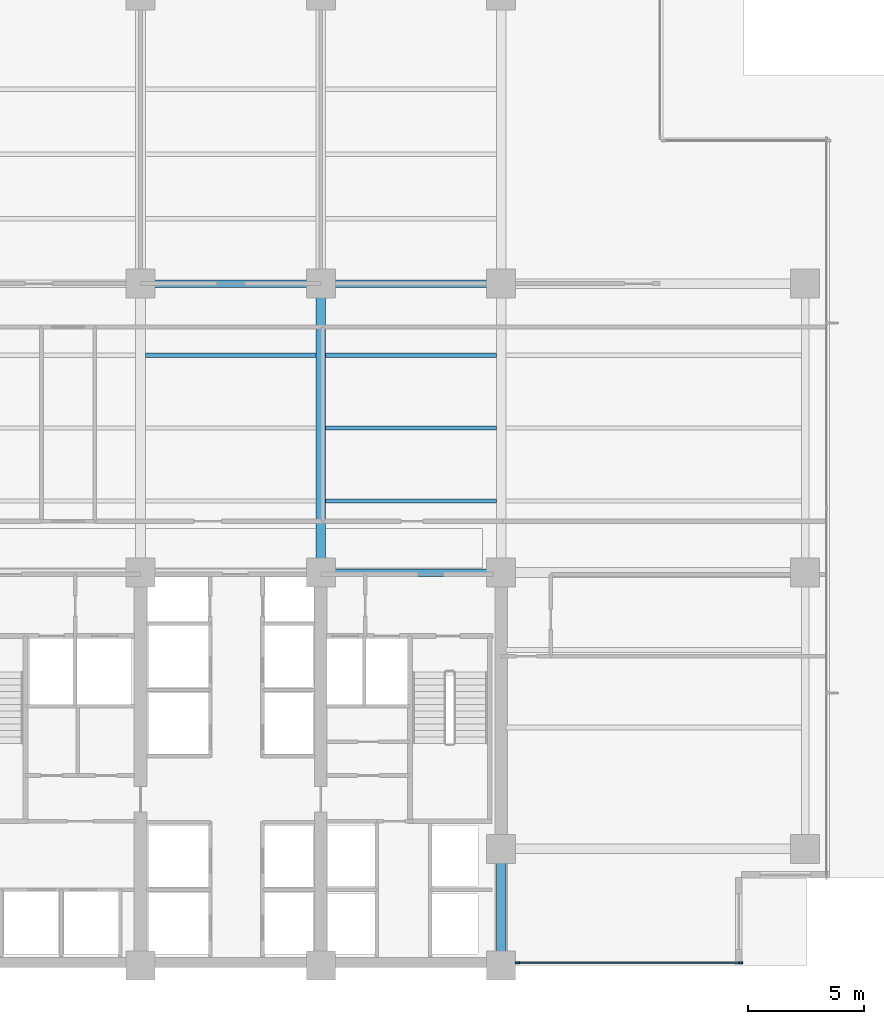
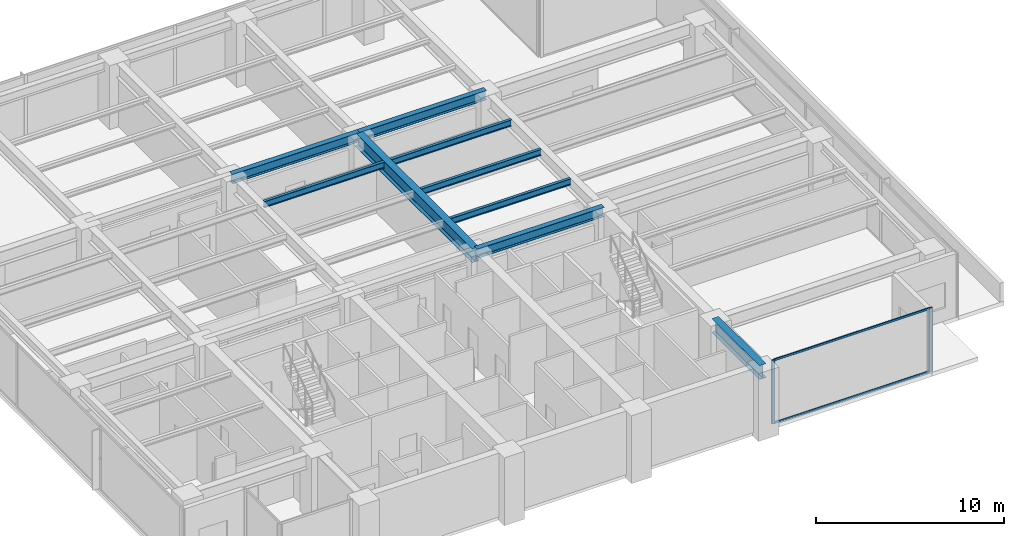
# One storey, part 3 of 16: 9 beams, 4 members, 1 element without a shape of its own.
"""IFC4 building model written with IfcOpenShell, lengths in metres."""

from ifc_helpers import new_model, si_unit, direction, frame, origin, origin_2d, place, context, subcontext, project, spatial, rectangle, i_section, extrude, material, layer, layer_set, material_profile, profile_set, type_object, element, aggregate, save


model = new_model("IFC4")

# Units and contexts
model_context = context("Model", 3, precision=1e-05, world=origin(), true_north=direction((0.0, 1.0)))
body_context = subcontext(model_context, "Body", "Model", "MODEL_VIEW")
ifc_project = project(units=[si_unit("LENGTHUNIT", "METRE"), si_unit("AREAUNIT", "SQUARE_METRE"), si_unit("VOLUMEUNIT", "CUBIC_METRE"), si_unit("PLANEANGLEUNIT", "RADIAN"), si_unit("MASSUNIT", "GRAM", prefix="KILO")], contexts=[model_context])

# Site, building, storey
site_placement = place(None, origin())
site = spatial("IfcSite", under=ifc_project, at=site_placement, CompositionType="ELEMENT")
building_placement = place(site_placement, origin())
building = spatial("IfcBuilding", under=site, at=building_placement, Name="Qalmaran Belvedere Hotel", CompositionType="ELEMENT")
storey_placement = place(building_placement, frame((0.0, 0.0, 83.800048828125)))
storey = spatial("IfcBuildingStorey", under=building, at=storey_placement, Name="L20", CompositionType="ELEMENT", Elevation=83.800048828125)

# Beams
ifc_material_1 = material(Name="Steel S355JR", Category="steel")
ifc_material_profile_1 = material_profile(ifc_material_1, i_section(OverallWidth=0.41796875, OverallDepth=0.912109375, WebThickness=0.019287109375, FlangeThickness=0.031982421875, FilletRadius=0.02392578125, at=origin_2d()), Name="W920X342")
ifc_profile_set_1 = profile_set([ifc_material_profile_1], Name="Steel S355JR")
beam_type_1 = type_object("IfcBeamType", Name="BM-PG2-W920X342", PredefinedType="USERDEFINED", material=ifc_profile_set_1)
beam_1_placement = place(storey_placement, frame((37.0, 20.5, 3.683837890625), z_axis=(0.0, 1.0, 0.0), x_axis=(-1.0, 0.0, 0.0)))
element("IfcBeam", 1, at=beam_1_placement, inside=storey, type_object=beam_type_1, Name="L20 Mid-Plate N-S Girder 18", ObjectType="GIRDER", PredefinedType="USERDEFINED", context=body_context, shape_type="SweptSolid", body=[
    extrude(i_section(OverallWidth=0.41796875, OverallDepth=0.912109375, WebThickness=0.019287109375, FlangeThickness=0.031982421875, FilletRadius=0.02392578125, at=origin_2d()), origin(), (0.0, 0.0, 1.0), 12.5),
])
beam_2_placement = place(storey_placement, frame((44.800048828125, 3.5, 3.683837890625), z_axis=(0.0, 1.0, 0.0), x_axis=(-1.0, 0.0, 0.0)))
element("IfcBeam", 2, at=beam_2_placement, inside=storey, type_object=beam_type_1, Name="L20 East Core Edge Girder A", ObjectType="GIRDER", PredefinedType="USERDEFINED", context=body_context, shape_type="SweptSolid", body=[
    extrude(i_section(OverallWidth=0.41796875, OverallDepth=0.912109375, WebThickness=0.019287109375, FlangeThickness=0.031982421875, FilletRadius=0.02392578125, at=origin_2d()), origin(), (0.0, 0.0, 1.0), 5.050048828125),
])
ifc_material_profile_2 = material_profile(ifc_material_1, i_section(OverallWidth=0.177978515625, OverallDepth=0.406982421875, WebThickness=0.0078125, FlangeThickness=0.0126953125, FilletRadius=0.014892578125, at=origin_2d()), Name="W410X60")
ifc_profile_set_2 = profile_set([ifc_material_profile_2], Name="Steel S355JR")
beam_type_2 = type_object("IfcBeamType", Name="BM-SB2-W410X60", PredefinedType="BEAM", material=ifc_profile_set_2)
for number, where, z_axis, x_axis, name in (
    (3, (37.20703125, 23.60009765625, 3.9365234375), (1.0, 0.0, 0.0), (0.0, 1.0, 0.0), "L20 Secondary Floor Beam 031"),
    (4, (37.20703125, 26.75, 3.9365234375), (1.0, 0.0, 0.0), (0.0, 1.0, 0.0), "L20 Secondary Floor Beam 036"),
    (5, (29.406982421875, 29.89990234375, 3.9365234375), (1.0, 0.0, 0.0), (0.0, 1.0, 0.0), "L20 Secondary Floor Beam 040"),
    (6, (37.20703125, 29.89990234375, 3.9365234375), (1.0, 0.0, 0.0), (0.0, 1.0, 0.0), "L20 Secondary Floor Beam 041"),
):
    element("IfcBeam", number, at=place(storey_placement, frame(where, z_axis=z_axis, x_axis=x_axis)), inside=storey, type_object=beam_type_2, Name=name, PredefinedType="BEAM", context=body_context, shape_type="SweptSolid", body=[
        extrude(i_section(OverallWidth=0.177978515625, OverallDepth=0.406982421875, WebThickness=0.0078125, FlangeThickness=0.0126953125, FilletRadius=0.014892578125, at=origin_2d()), origin(), (0.0, 0.0, 1.0), 7.385986328125),
    ])
ifc_material_profile_3 = material_profile(ifc_material_1, i_section(OverallWidth=0.323974609375, OverallDepth=0.611083984375, WebThickness=0.0126953125, FlangeThickness=0.01904296875, FilletRadius=0.02001953125, at=origin_2d()), Name="W610X155")
ifc_profile_set_3 = profile_set([ifc_material_profile_3], Name="Steel S355JR")
beam_type_3 = type_object("IfcBeamType", Name="BM-Z2-W610X155", PredefinedType="USERDEFINED", material=ifc_profile_set_3)
for number, where, z_axis, x_axis, name in (
    (7, (37.0, 20.5, 3.83447265625), (1.0, 0.0, 0.0), (0.0, 1.0, 0.0), "L20 Interior E-W Girder 10"),
    (8, (29.199951171875, 33.0, 3.83447265625), (1.0, 0.0, 0.0), (0.0, 1.0, 0.0), "L20 Interior E-W Girder 12"),
    (9, (37.0, 33.0, 3.83447265625), (1.0, 0.0, 0.0), (0.0, 1.0, 0.0), "L20 Interior E-W Girder 13"),
):
    element("IfcBeam", number, at=place(storey_placement, frame(where, z_axis=z_axis, x_axis=x_axis)), inside=storey, type_object=beam_type_3, Name=name, ObjectType="GIRDER", PredefinedType="USERDEFINED", context=body_context, shape_type="SweptSolid", body=[
        extrude(i_section(OverallWidth=0.323974609375, OverallDepth=0.611083984375, WebThickness=0.0126953125, FlangeThickness=0.01904296875, FilletRadius=0.02001953125, at=origin_2d()), origin(), (0.0, 0.0, 1.0), 7.800048828125),
    ])

# Curtain wall, members
ifc_material_2 = material(Name="Anodised Bronze Aluminium", Category="aluminium")
ifc_layer = layer(ifc_material_2, 0.199951171875, Name="Anodised Bronze Aluminium")
ifc_layer_set = layer_set([ifc_layer], Name="Anodised Bronze Aluminium")
curtain_wall_type = type_object("IfcCurtainWallType", Name="CW3-TOWER-LOWMID", PredefinedType="NOTDEFINED", material=ifc_layer_set)
curtain_wall_placement = place(storey_placement, origin())
curtain_wall = element("IfcCurtainWall", 10, at=curtain_wall_placement, inside=storey, type_object=curtain_wall_type, Name="L20 Curtain Wall CW3", PredefinedType="NOTDEFINED")
ifc_material_profile_4 = material_profile(ifc_material_2, rectangle(XDim=0.070068359375, YDim=0.18994140625, at=origin_2d()), Name="CWM70X190")
ifc_profile_set_4 = profile_set([ifc_material_profile_4], Name="Anodised Bronze Aluminium")
member_type_1 = type_object("IfcMemberType", Name="CWM-70X190", PredefinedType="MULLION", material=ifc_profile_set_4)
member_1_placement = place(storey_placement, frame((45.5, 3.6201171875, 0.0), z_axis=(0.0, 0.0, 1.0), x_axis=(0.0, 1.0, 0.0)))
member_1 = element("IfcMember", 11, at=member_1_placement, type_object=member_type_1, Name="CW3 mullion 1", PredefinedType="MULLION", context=body_context, shape_type="SweptSolid", body=[
    extrude(rectangle(XDim=0.070068359375, YDim=0.18994140625, at=origin_2d()), origin(), (0.0, 0.0, 1.0), 4.139892578125),
])
member_2_placement = place(storey_placement, frame((55.1650390625, 3.6201171875, 0.0), z_axis=(0.0, 0.0, 1.0), x_axis=(0.0, 1.0, 0.0)))
member_2 = element("IfcMember", 12, at=member_2_placement, type_object=member_type_1, Name="CW3 mullion 2", PredefinedType="MULLION", context=body_context, shape_type="SweptSolid", body=[
    extrude(rectangle(XDim=0.070068359375, YDim=0.18994140625, at=origin_2d()), origin(), (0.0, 0.0, 1.0), 4.139892578125),
])
ifc_material_profile_5 = material_profile(ifc_material_2, rectangle(XDim=0.06494140625, YDim=0.1298828125, at=origin_2d()), Name="CWT65X130")
ifc_profile_set_5 = profile_set([ifc_material_profile_5], Name="Anodised Bronze Aluminium")
member_type_2 = type_object("IfcMemberType", Name="CWT-65X130", PredefinedType="USERDEFINED", material=ifc_profile_set_5)
member_3_placement = place(storey_placement, frame((45.534912109375, 3.6201171875, 0.032470703125), z_axis=(1.0, 0.0, 0.0), x_axis=(0.0, 1.0, 0.0)))
member_3 = element("IfcMember", 13, at=member_3_placement, type_object=member_type_2, Name="CW3 transom 1.1", ObjectType="TRANSOM", PredefinedType="USERDEFINED", context=body_context, shape_type="SweptSolid", body=[
    extrude(rectangle(XDim=0.06494140625, YDim=0.1298828125, at=origin_2d()), origin(), (0.0, 0.0, 1.0), 9.594970703125),
])
member_4_placement = place(storey_placement, frame((45.534912109375, 3.6201171875, 4.107421875), z_axis=(1.0, 0.0, 0.0), x_axis=(0.0, 1.0, 0.0)))
member_4 = element("IfcMember", 14, at=member_4_placement, type_object=member_type_2, Name="CW3 transom 1.2", ObjectType="TRANSOM", PredefinedType="USERDEFINED", context=body_context, shape_type="SweptSolid", body=[
    extrude(rectangle(XDim=0.06494140625, YDim=0.1298828125, at=origin_2d()), origin(), (0.0, 0.0, 1.0), 9.594970703125),
])
aggregate(curtain_wall, [member_1, member_2, member_3, member_4])

save(model, "model.ifc")
